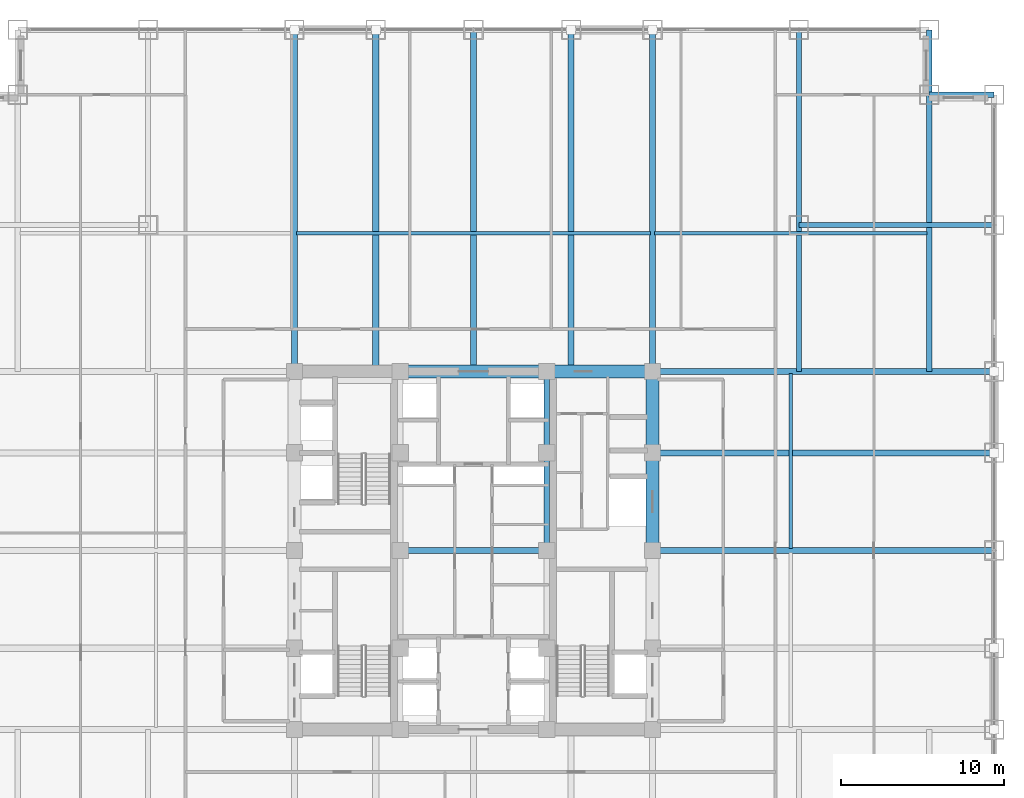
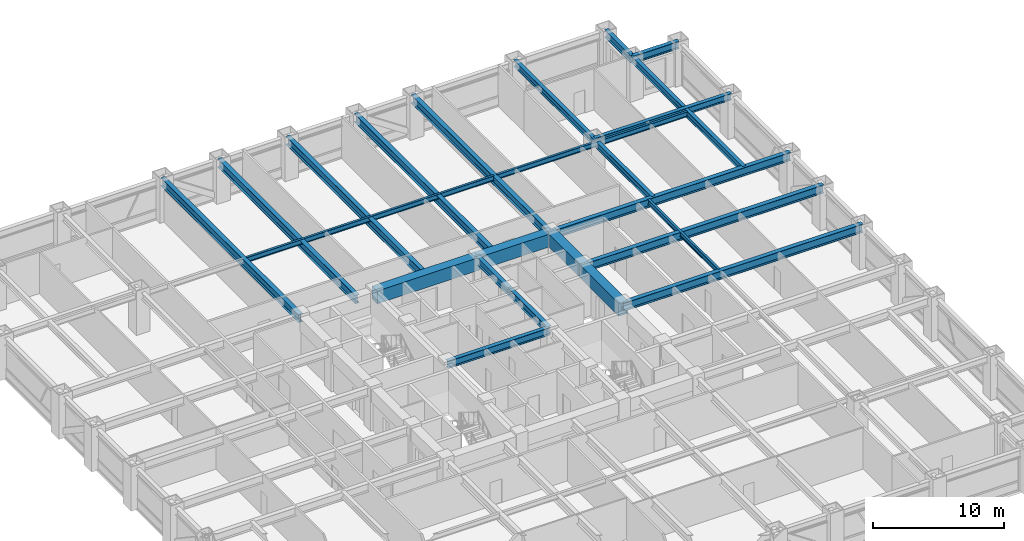
# One storey, part 11 of 27: 23 beams.
"""IFC4 building model written with IfcOpenShell, lengths in metres."""

from ifc_helpers import new_model, si_unit, direction, frame, origin, origin_2d, place, context, subcontext, project, spatial, rectangle, i_section, extrude, source, transform, mapped, material, material_profile, profile_set, type_object, element, save


model = new_model("IFC4")

# Units and contexts
model_context = context("Model", 3, precision=1e-05, world=origin(), true_north=direction((0.0, 1.0)))
body_context = subcontext(model_context, "Body", "Model", "MODEL_VIEW")
ifc_project = project(units=[si_unit("LENGTHUNIT", "METRE"), si_unit("AREAUNIT", "SQUARE_METRE"), si_unit("VOLUMEUNIT", "CUBIC_METRE"), si_unit("PLANEANGLEUNIT", "RADIAN"), si_unit("MASSUNIT", "GRAM", prefix="KILO")], contexts=[model_context])

# Site, building, storey
site_placement = place(None, origin())
site = spatial("IfcSite", under=ifc_project, at=site_placement, CompositionType="ELEMENT")
building_placement = place(site_placement, origin())
building = spatial("IfcBuilding", under=site, at=building_placement, Name="Khorayat Bourse Tower", CompositionType="ELEMENT")
storey_placement = place(building_placement, frame((0.0, 0.0, 140.60009765625)))
storey = spatial("IfcBuildingStorey", under=building, at=storey_placement, Name="L32", CompositionType="ELEMENT", Elevation=140.60009765625)

# Beams
ifc_material_1 = material(Name="Concrete C72/90", Category="concrete")
ifc_material_profile_1 = material_profile(ifc_material_1, rectangle(XDim=0.800048828125, YDim=1.199951171875, at=origin_2d()), Name="RC 800x1200")
ifc_profile_set_1 = profile_set([ifc_material_profile_1], Name="Concrete C72/90")
beam_type_1 = type_object("IfcBeamType", Name="BM-COUP-1200", PredefinedType="BEAM", material=ifc_profile_set_1)
shared_shape_1 = source(origin(), body_context, "Body", "SweptSolid", [
    extrude(rectangle(XDim=0.800048828125, YDim=1.199951171875, at=origin_2d()), origin(), (0.0, 0.0, 1.0), 5.0),
])
beam_1_placement = place(storey_placement, frame((11.0, 6.0, 3.239990234375), z_axis=(0.0, 1.0, 0.0), x_axis=(-1.0, 0.0, 0.0)))
element("IfcBeam", 1, at=beam_1_placement, inside=storey, type_object=beam_type_1, Name="L32 BM-COUP-1200 BM-L32-CRX-16", PredefinedType="BEAM", context=body_context, shape_type="MappedRepresentation", body=[
    mapped(shared_shape_1, transform((0.0, 0.0, 0.0), scale=1.0)),
])
shared_shape_2 = source(origin(), body_context, "Body", "SweptSolid", [
    extrude(rectangle(XDim=0.800048828125, YDim=1.199951171875, at=origin_2d()), origin(), (0.0, 0.0, 1.0), 6.0),
])
beam_2_placement = place(storey_placement, frame((11.0, 0.0, 3.239990234375), z_axis=(0.0, 1.0, 0.0), x_axis=(-1.0, 0.0, 0.0)))
element("IfcBeam", 2, at=beam_2_placement, inside=storey, type_object=beam_type_1, Name="L32 BM-COUP-1200 BM-L32-CRX-15", PredefinedType="BEAM", context=body_context, shape_type="MappedRepresentation", body=[
    mapped(shared_shape_2, transform((0.0, 0.0, 0.0), scale=1.0)),
])
ifc_material_2 = material(Name="Steel ASTM A992 Grade 50", Category="steel")
ifc_material_profile_2 = material_profile(ifc_material_2, i_section(OverallWidth=0.35498046875, OverallDepth=0.695068359375, WebThickness=0.015380859375, FlangeThickness=0.02490234375, FilletRadius=0.01806640625, at=origin_2d()), Name="W690X217")
ifc_profile_set_2 = profile_set([ifc_material_profile_2], Name="Steel ASTM A992 Grade 50")
beam_type_2 = type_object("IfcBeamType", Name="BM-GIRD-690", PredefinedType="BEAM", material=ifc_profile_set_2)
shared_shape_3 = source(origin(), body_context, "Body", "SweptSolid", [
    extrude(i_section(OverallWidth=0.35498046875, OverallDepth=0.695068359375, WebThickness=0.015380859375, FlangeThickness=0.02490234375, FilletRadius=0.01806640625, at=origin_2d()), origin(), (0.0, 0.0, 1.0), 5.0),
])
beam_3_placement = place(storey_placement, frame((4.5, 6.0, 3.492431640625), z_axis=(0.0, 1.0, 0.0), x_axis=(-1.0, 0.0, 0.0)))
element("IfcBeam", 3, at=beam_3_placement, inside=storey, type_object=beam_type_2, Name="L32 BM-GIRD-690 BM-L32-CRX-12", PredefinedType="BEAM", context=body_context, shape_type="MappedRepresentation", body=[
    mapped(shared_shape_3, transform((0.0, 0.0, 0.0), scale=1.0)),
])
shared_shape_4 = source(origin(), body_context, "Body", "SweptSolid", [
    extrude(i_section(OverallWidth=0.35498046875, OverallDepth=0.695068359375, WebThickness=0.015380859375, FlangeThickness=0.02490234375, FilletRadius=0.01806640625, at=origin_2d()), origin(), (0.0, 0.0, 1.0), 6.0),
])
beam_4_placement = place(storey_placement, frame((4.5, 0.0, 3.492431640625), z_axis=(0.0, 1.0, 0.0), x_axis=(-1.0, 0.0, 0.0)))
element("IfcBeam", 4, at=beam_4_placement, inside=storey, type_object=beam_type_2, Name="L32 BM-GIRD-690 BM-L32-CRX-11", PredefinedType="BEAM", context=body_context, shape_type="MappedRepresentation", body=[
    mapped(shared_shape_4, transform((0.0, 0.0, 0.0), scale=1.0)),
])
shared_shape_5 = source(origin(), body_context, "Body", "SweptSolid", [
    extrude(rectangle(XDim=0.800048828125, YDim=1.199951171875, at=origin_2d()), origin(), (0.0, 0.0, 1.0), 6.5),
])
beam_5_placement = place(storey_placement, frame((4.5, 11.0, 3.239990234375), z_axis=(1.0, 0.0, 0.0), x_axis=(0.0, 1.0, 0.0)))
element("IfcBeam", 5, at=beam_5_placement, inside=storey, type_object=beam_type_1, Name="L32 BM-COUP-1200 BM-L32-CRY-22", PredefinedType="BEAM", context=body_context, shape_type="MappedRepresentation", body=[
    mapped(shared_shape_5, transform((0.0, 0.0, 0.0), scale=1.0)),
])
shared_shape_6 = source(origin(), body_context, "Body", "SweptSolid", [
    extrude(rectangle(XDim=0.800048828125, YDim=1.199951171875, at=origin_2d()), origin(), (0.0, 0.0, 1.0), 9.0),
])
beam_6_placement = place(storey_placement, frame((-4.5, 11.0, 3.239990234375), z_axis=(1.0, 0.0, 0.0), x_axis=(0.0, 1.0, 0.0)))
element("IfcBeam", 6, at=beam_6_placement, inside=storey, type_object=beam_type_1, Name="L32 BM-COUP-1200 BM-L32-CRY-21", PredefinedType="BEAM", context=body_context, shape_type="MappedRepresentation", body=[
    mapped(shared_shape_6, transform((0.0, 0.0, 0.0), scale=1.0)),
])
shared_shape_7 = source(origin(), body_context, "Body", "SweptSolid", [
    extrude(i_section(OverallWidth=0.35498046875, OverallDepth=0.695068359375, WebThickness=0.015380859375, FlangeThickness=0.02490234375, FilletRadius=0.01806640625, at=origin_2d()), origin(), (0.0, 0.0, 1.0), 9.0),
])
beam_7_placement = place(storey_placement, frame((-4.5, 0.0, 3.492431640625), z_axis=(1.0, 0.0, 0.0), x_axis=(0.0, 1.0, 0.0)))
element("IfcBeam", 7, at=beam_7_placement, inside=storey, type_object=beam_type_2, Name="L32 BM-GIRD-690 BM-L32-CRY-23", PredefinedType="BEAM", context=body_context, shape_type="MappedRepresentation", body=[
    mapped(shared_shape_7, transform((0.0, 0.0, 0.0), scale=1.0)),
])
ifc_material_profile_3 = material_profile(ifc_material_2, i_section(OverallWidth=0.324951171875, OverallDepth=0.615966796875, WebThickness=0.013916015625, FlangeThickness=0.021484375, FilletRadius=0.01611328125, at=origin_2d()), Name="W610X174")
ifc_profile_set_3 = profile_set([ifc_material_profile_3], Name="Steel ASTM A992 Grade 50")
beam_type_3 = type_object("IfcBeamType", Name="BM-GIRD-610", PredefinedType="BEAM", material=ifc_profile_set_3)
shared_shape_8 = source(origin(), body_context, "Body", "SweptSolid", [
    extrude(i_section(OverallWidth=0.324951171875, OverallDepth=0.615966796875, WebThickness=0.013916015625, FlangeThickness=0.021484375, FilletRadius=0.01611328125, at=origin_2d()), origin(), (0.0, 0.0, 1.0), 21.0),
])
beam_8_placement = place(storey_placement, frame((20.0, 11.0, 3.531982421875), z_axis=(0.0, 1.0, 0.0), x_axis=(-1.0, 0.0, 0.0)))
element("IfcBeam", 8, at=beam_8_placement, inside=storey, type_object=beam_type_3, Name="L32 BM-GIRD-610 BM-L32-CNRY-087", PredefinedType="BEAM", context=body_context, shape_type="MappedRepresentation", body=[
    mapped(shared_shape_8, transform((0.0, 0.0, 0.0), scale=1.0)),
])
shared_shape_9 = source(origin(), body_context, "Body", "SweptSolid", [
    extrude(i_section(OverallWidth=0.324951171875, OverallDepth=0.615966796875, WebThickness=0.013916015625, FlangeThickness=0.021484375, FilletRadius=0.01611328125, at=origin_2d()), origin(), (0.0, 0.0, 1.0), 12.0),
])
beam_9_placement = place(storey_placement, frame((20.0, 20.0, 3.531982421875), z_axis=(1.0, 0.0, 0.0), x_axis=(0.0, 1.0, 0.0)))
element("IfcBeam", 9, at=beam_9_placement, inside=storey, type_object=beam_type_3, Name="L32 BM-GIRD-610 BM-L32-CNRX-094", PredefinedType="BEAM", context=body_context, shape_type="MappedRepresentation", body=[
    mapped(shared_shape_9, transform((0.0, 0.0, 0.0), scale=1.0)),
])
ifc_material_profile_4 = material_profile(ifc_material_2, i_section(OverallWidth=0.194091796875, OverallDepth=0.468994140625, WebThickness=0.0126953125, FlangeThickness=0.0205078125, FilletRadius=0.012939453125, at=origin_2d()), Name="W460X106")
ifc_profile_set_4 = profile_set([ifc_material_profile_4], Name="Steel ASTM A992 Grade 50")
beam_type_4 = type_object("IfcBeamType", Name="BM-JOIST-460", PredefinedType="JOIST", material=ifc_profile_set_4)
shared_shape_10 = source(origin(), body_context, "Body", "SweptSolid", [
    extrude(i_section(OverallWidth=0.194091796875, OverallDepth=0.468994140625, WebThickness=0.0126953125, FlangeThickness=0.0205078125, FilletRadius=0.012939453125, at=origin_2d()), origin(), (0.0, 0.0, 1.0), 21.740234375),
])
beam_10_placement = place(storey_placement, frame((-10.8701171875, 19.5, 3.60546875), z_axis=(1.0, 0.0, 0.0), x_axis=(0.0, 1.0, 0.0)))
element("IfcBeam", 10, at=beam_10_placement, inside=storey, type_object=beam_type_4, Name="L32 BM-JOIST-460 BM-L32-JSTX-100", PredefinedType="JOIST", context=body_context, shape_type="MappedRepresentation", body=[
    mapped(shared_shape_10, transform((0.0, 0.0, 0.0), scale=1.0)),
])
shared_shape_11 = source(origin(), body_context, "Body", "SweptSolid", [
    extrude(i_section(OverallWidth=0.194091796875, OverallDepth=0.468994140625, WebThickness=0.0126953125, FlangeThickness=0.0205078125, FilletRadius=0.012939453125, at=origin_2d()), origin(), (0.0, 0.0, 1.0), 10.740234375),
])
beam_11_placement = place(storey_placement, frame((19.5, 0.1298828125, 3.60546875), z_axis=(0.0, 1.0, 0.0), x_axis=(-1.0, 0.0, 0.0)))
element("IfcBeam", 11, at=beam_11_placement, inside=storey, type_object=beam_type_4, Name="L32 BM-JOIST-460 BM-L32-JSTY-105", PredefinedType="JOIST", context=body_context, shape_type="MappedRepresentation", body=[
    mapped(shared_shape_11, transform((0.0, 0.0, 0.0), scale=1.0)),
])
ifc_material_profile_5 = material_profile(ifc_material_2, i_section(OverallWidth=0.35498046875, OverallDepth=0.695068359375, WebThickness=0.015380859375, FlangeThickness=0.02490234375, FilletRadius=0.01806640625, at=origin_2d()), Name="W690X217")
ifc_profile_set_5 = profile_set([ifc_material_profile_5], Name="Steel ASTM A992 Grade 50")
beam_type_5 = type_object("IfcBeamType", Name="BM-SPAN-690", PredefinedType="SPANDREL", material=ifc_profile_set_5)
shared_shape_12 = source(origin(), body_context, "Body", "SweptSolid", [
    extrude(i_section(OverallWidth=0.35498046875, OverallDepth=0.695068359375, WebThickness=0.015380859375, FlangeThickness=0.02490234375, FilletRadius=0.01806640625, at=origin_2d()), origin(), (0.0, 0.0, 1.0), 4.0),
])
for number, where, z_axis, x_axis, name in (
    (12, (28.0, 28.0, 3.492431640625), (1.0, 0.0, 0.0), (0.0, 1.0, 0.0), "L32 BM-SPAN-690 BM-L32-SPN-042"),
    (13, (28.0, 28.0, 3.492431640625), (0.0, 1.0, 0.0), (-1.0, 0.0, 0.0), "L32 BM-SPAN-690 BM-L32-SPN-043"),
):
    element("IfcBeam", number, at=place(storey_placement, frame(where, z_axis=z_axis, x_axis=x_axis)), inside=storey, type_object=beam_type_5, Name=name, PredefinedType="SPANDREL", context=body_context, shape_type="MappedRepresentation", body=[
        mapped(shared_shape_12, transform((0.0, 0.0, 0.0), scale=1.0)),
    ])
ifc_material_profile_6 = material_profile(ifc_material_2, i_section(OverallWidth=0.381103515625, OverallDepth=0.77294921875, WebThickness=0.0166015625, FlangeThickness=0.027587890625, FilletRadius=0.01806640625, at=origin_2d()), Name="W760X257")
ifc_profile_set_6 = profile_set([ifc_material_profile_6], Name="Steel ASTM A992 Grade 50")
beam_type_6 = type_object("IfcBeamType", Name="BM-GIRD-760", PredefinedType="BEAM", material=ifc_profile_set_6)
shared_shape_13 = source(origin(), body_context, "Body", "SweptSolid", [
    extrude(i_section(OverallWidth=0.381103515625, OverallDepth=0.77294921875, WebThickness=0.0166015625, FlangeThickness=0.027587890625, FilletRadius=0.01806640625, at=origin_2d()), origin(), (0.0, 0.0, 1.0), 21.0),
])
for number, where, z_axis, x_axis, name in (
    (14, (-11.0, 11.0, 3.373291015625), (0.0, 1.0, 0.0), (-1.0, 0.0, 0.0), "L32 BM-GIRD-760 BM-L32-RADY-064"),
    (15, (-6.0, 11.0, 3.373291015625), (0.0, 1.0, 0.0), (-1.0, 0.0, 0.0), "L32 BM-GIRD-760 BM-L32-RADY-066"),
    (16, (0.0, 11.0, 3.373291015625), (0.0, 1.0, 0.0), (-1.0, 0.0, 0.0), "L32 BM-GIRD-760 BM-L32-RADY-068"),
    (17, (6.0, 11.0, 3.373291015625), (0.0, 1.0, 0.0), (-1.0, 0.0, 0.0), "L32 BM-GIRD-760 BM-L32-RADY-070"),
    (18, (11.0, 11.0, 3.373291015625), (0.0, 1.0, 0.0), (-1.0, 0.0, 0.0), "L32 BM-GIRD-760 BM-L32-RADY-072"),
    (19, (11.0, 0.0, 3.453369140625), (1.0, 0.0, 0.0), (0.0, 1.0, 0.0), "L32 BM-GIRD-760 BM-L32-RADX-078"),
    (20, (11.0, 6.0, 3.453369140625), (1.0, 0.0, 0.0), (0.0, 1.0, 0.0), "L32 BM-GIRD-760 BM-L32-RADX-080"),
    (21, (11.0, 11.0, 3.453369140625), (1.0, 0.0, 0.0), (0.0, 1.0, 0.0), "L32 BM-GIRD-760 BM-L32-RADX-082"),
):
    element("IfcBeam", number, at=place(storey_placement, frame(where, z_axis=z_axis, x_axis=x_axis)), inside=storey, type_object=beam_type_6, Name=name, PredefinedType="BEAM", context=body_context, shape_type="MappedRepresentation", body=[
        mapped(shared_shape_13, transform((0.0, 0.0, 0.0), scale=1.0)),
    ])
shared_shape_14 = source(origin(), body_context, "Body", "SweptSolid", [
    extrude(i_section(OverallWidth=0.324951171875, OverallDepth=0.615966796875, WebThickness=0.013916015625, FlangeThickness=0.021484375, FilletRadius=0.01611328125, at=origin_2d()), origin(), (0.0, 0.0, 1.0), 17.0),
])
beam_12_placement = place(storey_placement, frame((28.0, 11.0, 3.531982421875), z_axis=(0.0, 1.0, 0.0), x_axis=(-1.0, 0.0, 0.0)))
element("IfcBeam", 22, at=beam_12_placement, inside=storey, type_object=beam_type_3, Name="L32 BM-GIRD-610 BM-L32-CNRY-091", PredefinedType="BEAM", context=body_context, shape_type="MappedRepresentation", body=[
    mapped(shared_shape_14, transform((0.0, 0.0, 0.0), scale=1.0)),
])
shared_shape_15 = source(origin(), body_context, "Body", "SweptSolid", [
    extrude(i_section(OverallWidth=0.194091796875, OverallDepth=0.468994140625, WebThickness=0.0126953125, FlangeThickness=0.0205078125, FilletRadius=0.012939453125, at=origin_2d()), origin(), (0.0, 0.0, 1.0), 16.740234375),
])
beam_13_placement = place(storey_placement, frame((11.1298828125, 19.5, 3.60546875), z_axis=(1.0, 0.0, 0.0), x_axis=(0.0, 1.0, 0.0)))
element("IfcBeam", 23, at=beam_13_placement, inside=storey, type_object=beam_type_4, Name="L32 BM-JOIST-460 BM-L32-JSTX-101", PredefinedType="JOIST", context=body_context, shape_type="MappedRepresentation", body=[
    mapped(shared_shape_15, transform((0.0, 0.0, 0.0), scale=1.0)),
])

save(model, "model.ifc")
